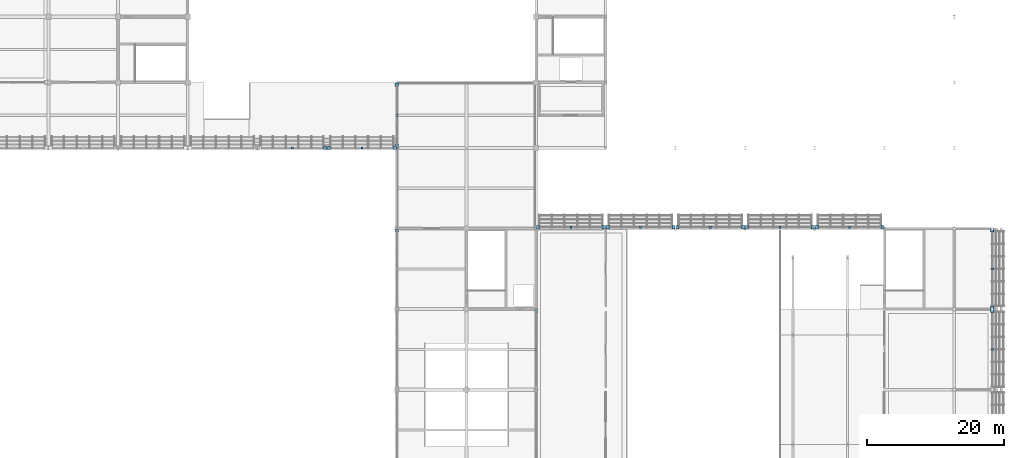
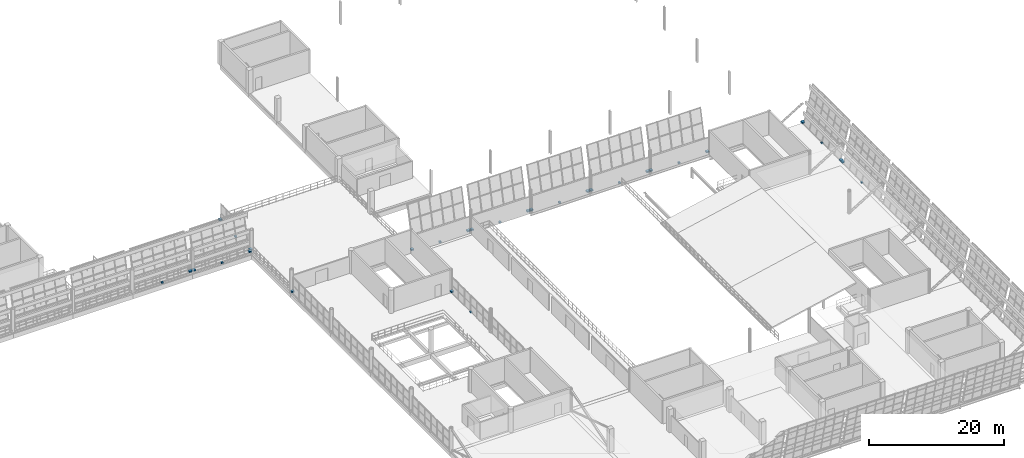
# One storey, part 141 of 157: 31 discrete accessories.
"""IFC4 building model written with IfcOpenShell, lengths in metres."""

from ifc_helpers import new_model, si_unit, direction, frame, origin, origin_2d, place, context, subcontext, project, spatial, rectangle, extrude, material, type_object, element, save


model = new_model("IFC4")

# Units and contexts
model_context = context("Model", 3, precision=1e-05, world=origin(), true_north=direction((0.0, 1.0)))
body_context = subcontext(model_context, "Body", "Model", "MODEL_VIEW")
ifc_project = project(units=[si_unit("LENGTHUNIT", "METRE"), si_unit("AREAUNIT", "SQUARE_METRE"), si_unit("VOLUMEUNIT", "CUBIC_METRE"), si_unit("PLANEANGLEUNIT", "RADIAN"), si_unit("MASSUNIT", "GRAM", prefix="KILO")], contexts=[model_context])

# Site, building, storey
site_placement = place(None, origin())
site = spatial("IfcSite", under=ifc_project, at=site_placement, CompositionType="ELEMENT")
building_placement = place(site_placement, origin())
building = spatial("IfcBuilding", under=site, at=building_placement, Name="Brelvane Convention Centre", CompositionType="ELEMENT")
storey_placement = place(building_placement, frame((0.0, 0.0, 10.800048828125)))
storey = spatial("IfcBuildingStorey", under=building, at=storey_placement, Name="L02", CompositionType="ELEMENT", Elevation=10.800048828125)

# Discrete accessories
ifc_material = material(Name="Steel E350 (350 MPa)", Category="steel")
discrete_accessory_type = type_object("IfcDiscreteAccessoryType", Name="Facade Outrigger Bracket BRK-02", PredefinedType="BRACKET", material=ifc_material)
discrete_accessory_1_placement = place(storey_placement, frame((230.0, 75.760009765625, 0.22998046875), z_axis=(0.0, 0.0, 1.0), x_axis=(1.0, 0.0, 0.0)))
element("IfcDiscreteAccessory", 1, at=discrete_accessory_1_placement, inside=storey, type_object=discrete_accessory_type, Name="Curtain Wall Anchor Bracket L02-HULL-E-L02-5-R", PredefinedType="BRACKET", context=body_context, shape_type="SweptSolid", body=[
    extrude(rectangle(XDim=0.47998046875, YDim=0.47998046875, at=origin_2d()), origin(), (0.0, 0.0, 1.0), 0.239990234375),
])
discrete_accessory_2_placement = place(storey_placement, frame((230.0, 70.10009765625, -0.14013671875), z_axis=(0.0, 0.0, 1.0), x_axis=(1.0, 0.0, 0.0)))
element("IfcDiscreteAccessory", 2, at=discrete_accessory_2_placement, inside=storey, type_object=discrete_accessory_type, Name="Curtain Wall Anchor Bracket L02-HULL-E-L02-5-B", PredefinedType="BRACKET", context=body_context, shape_type="SweptSolid", body=[
    extrude(rectangle(XDim=0.320068359375, YDim=0.320068359375, at=origin_2d()), origin(), (0.0, 0.0, 1.0), 0.280029296875),
])
for number, where, z_axis, x_axis, name in (
    (3, (230.0, 76.239990234375, 0.22998046875), (0.0, 0.0, 1.0), (1.0, 0.0, 0.0), "Curtain Wall Anchor Bracket L02-HULL-E-L02-6-L"),
    (4, (230.0, 87.56005859375, 0.22998046875), (0.0, 0.0, 1.0), (1.0, 0.0, 0.0), "Curtain Wall Anchor Bracket L02-HULL-E-L02-6-R"),
):
    element("IfcDiscreteAccessory", number, at=place(storey_placement, frame(where, z_axis=z_axis, x_axis=x_axis)), inside=storey, type_object=discrete_accessory_type, Name=name, PredefinedType="BRACKET", context=body_context, shape_type="SweptSolid", body=[
        extrude(rectangle(XDim=0.47998046875, YDim=0.47998046875, at=origin_2d()), origin(), (0.0, 0.0, 1.0), 0.239990234375),
    ])
discrete_accessory_3_placement = place(storey_placement, frame((230.0, 81.89990234375, -0.14013671875), z_axis=(0.0, 0.0, 1.0), x_axis=(1.0, 0.0, 0.0)))
element("IfcDiscreteAccessory", 5, at=discrete_accessory_3_placement, inside=storey, type_object=discrete_accessory_type, Name="Curtain Wall Anchor Bracket L02-HULL-E-L02-6-B", PredefinedType="BRACKET", context=body_context, shape_type="SweptSolid", body=[
    extrude(rectangle(XDim=0.320068359375, YDim=0.320068359375, at=origin_2d()), origin(), (0.0, 0.0, 1.0), 0.280029296875),
])
discrete_accessory_4_placement = place(storey_placement, frame((132.31005859375, 99.60009765625, 0.22998046875), z_axis=(0.0, 0.0, 1.0), x_axis=(1.0, 0.0, 0.0)))
element("IfcDiscreteAccessory", 6, at=discrete_accessory_4_placement, inside=storey, type_object=discrete_accessory_type, Name="Curtain Wall Anchor Bracket L02-V1N-HULL-13-R", PredefinedType="BRACKET", context=body_context, shape_type="SweptSolid", body=[
    extrude(rectangle(XDim=0.47998046875, YDim=0.47998046875, at=origin_2d()), origin(), (0.0, 0.0, 1.0), 0.239990234375),
])
discrete_accessory_5_placement = place(storey_placement, frame((127.5, 99.60009765625, -0.14013671875), z_axis=(0.0, 0.0, 1.0), x_axis=(1.0, 0.0, 0.0)))
element("IfcDiscreteAccessory", 7, at=discrete_accessory_5_placement, inside=storey, type_object=discrete_accessory_type, Name="Curtain Wall Anchor Bracket L02-V1N-HULL-13-B", PredefinedType="BRACKET", context=body_context, shape_type="SweptSolid", body=[
    extrude(rectangle(XDim=0.320068359375, YDim=0.320068359375, at=origin_2d()), origin(), (0.0, 0.0, 1.0), 0.280029296875),
])
for number, where, z_axis, x_axis, name in (
    (8, (132.889892578125, 99.60009765625, 0.22998046875), (0.0, 0.0, 1.0), (1.0, 0.0, 0.0), "Curtain Wall Anchor Bracket L02-V1N-HULL-14-L"),
    (9, (142.510009765625, 99.60009765625, 0.22998046875), (0.0, 0.0, 1.0), (1.0, 0.0, 0.0), "Curtain Wall Anchor Bracket L02-V1N-HULL-14-R"),
):
    element("IfcDiscreteAccessory", number, at=place(storey_placement, frame(where, z_axis=z_axis, x_axis=x_axis)), inside=storey, type_object=discrete_accessory_type, Name=name, PredefinedType="BRACKET", context=body_context, shape_type="SweptSolid", body=[
        extrude(rectangle(XDim=0.47998046875, YDim=0.47998046875, at=origin_2d()), origin(), (0.0, 0.0, 1.0), 0.239990234375),
    ])
discrete_accessory_6_placement = place(storey_placement, frame((137.699951171875, 99.60009765625, -0.14013671875), z_axis=(0.0, 0.0, 1.0), x_axis=(1.0, 0.0, 0.0)))
element("IfcDiscreteAccessory", 10, at=discrete_accessory_6_placement, inside=storey, type_object=discrete_accessory_type, Name="Curtain Wall Anchor Bracket L02-V1N-HULL-14-B", PredefinedType="BRACKET", context=body_context, shape_type="SweptSolid", body=[
    extrude(rectangle(XDim=0.320068359375, YDim=0.320068359375, at=origin_2d()), origin(), (0.0, 0.0, 1.0), 0.280029296875),
])
for number, where, z_axis, x_axis, name in (
    (11, (163.489990234375, 88.0, 0.27978515625), (0.0, 0.0, 1.0), (1.0, 0.0, 0.0), "Curtain Wall Anchor Bracket L02-HULL-PN-L02-1-L"),
    (12, (173.110107421875, 88.0, 0.27978515625), (0.0, 0.0, 1.0), (1.0, 0.0, 0.0), "Curtain Wall Anchor Bracket L02-HULL-PN-L02-1-R"),
):
    element("IfcDiscreteAccessory", number, at=place(storey_placement, frame(where, z_axis=z_axis, x_axis=x_axis)), inside=storey, type_object=discrete_accessory_type, Name=name, PredefinedType="BRACKET", context=body_context, shape_type="SweptSolid", body=[
        extrude(rectangle(XDim=0.47998046875, YDim=0.47998046875, at=origin_2d()), origin(), (0.0, 0.0, 1.0), 0.239990234375),
    ])
discrete_accessory_7_placement = place(storey_placement, frame((168.300048828125, 88.0, -0.08984375), z_axis=(0.0, 0.0, 1.0), x_axis=(1.0, 0.0, 0.0)))
element("IfcDiscreteAccessory", 13, at=discrete_accessory_7_placement, inside=storey, type_object=discrete_accessory_type, Name="Curtain Wall Anchor Bracket L02-HULL-PN-L02-1-B", PredefinedType="BRACKET", context=body_context, shape_type="SweptSolid", body=[
    extrude(rectangle(XDim=0.320068359375, YDim=0.320068359375, at=origin_2d()), origin(), (0.0, 0.0, 1.0), 0.280029296875),
])
for number, where, z_axis, x_axis, name in (
    (14, (173.68994140625, 88.0, 0.27978515625), (0.0, 0.0, 1.0), (1.0, 0.0, 0.0), "Curtain Wall Anchor Bracket L02-HULL-PN-L02-2-L"),
    (15, (183.31005859375, 88.0, 0.27978515625), (0.0, 0.0, 1.0), (1.0, 0.0, 0.0), "Curtain Wall Anchor Bracket L02-HULL-PN-L02-2-R"),
):
    element("IfcDiscreteAccessory", number, at=place(storey_placement, frame(where, z_axis=z_axis, x_axis=x_axis)), inside=storey, type_object=discrete_accessory_type, Name=name, PredefinedType="BRACKET", context=body_context, shape_type="SweptSolid", body=[
        extrude(rectangle(XDim=0.47998046875, YDim=0.47998046875, at=origin_2d()), origin(), (0.0, 0.0, 1.0), 0.239990234375),
    ])
discrete_accessory_8_placement = place(storey_placement, frame((178.5, 88.0, -0.08984375), z_axis=(0.0, 0.0, 1.0), x_axis=(1.0, 0.0, 0.0)))
element("IfcDiscreteAccessory", 16, at=discrete_accessory_8_placement, inside=storey, type_object=discrete_accessory_type, Name="Curtain Wall Anchor Bracket L02-HULL-PN-L02-2-B", PredefinedType="BRACKET", context=body_context, shape_type="SweptSolid", body=[
    extrude(rectangle(XDim=0.320068359375, YDim=0.320068359375, at=origin_2d()), origin(), (0.0, 0.0, 1.0), 0.280029296875),
])
for number, where, z_axis, x_axis, name in (
    (17, (183.889892578125, 88.0, 0.27978515625), (0.0, 0.0, 1.0), (1.0, 0.0, 0.0), "Curtain Wall Anchor Bracket L02-HULL-PN-L02-3-L"),
    (18, (193.510009765625, 88.0, 0.27978515625), (0.0, 0.0, 1.0), (1.0, 0.0, 0.0), "Curtain Wall Anchor Bracket L02-HULL-PN-L02-3-R"),
):
    element("IfcDiscreteAccessory", number, at=place(storey_placement, frame(where, z_axis=z_axis, x_axis=x_axis)), inside=storey, type_object=discrete_accessory_type, Name=name, PredefinedType="BRACKET", context=body_context, shape_type="SweptSolid", body=[
        extrude(rectangle(XDim=0.47998046875, YDim=0.47998046875, at=origin_2d()), origin(), (0.0, 0.0, 1.0), 0.239990234375),
    ])
discrete_accessory_9_placement = place(storey_placement, frame((188.699951171875, 88.0, -0.08984375), z_axis=(0.0, 0.0, 1.0), x_axis=(1.0, 0.0, 0.0)))
element("IfcDiscreteAccessory", 19, at=discrete_accessory_9_placement, inside=storey, type_object=discrete_accessory_type, Name="Curtain Wall Anchor Bracket L02-HULL-PN-L02-3-B", PredefinedType="BRACKET", context=body_context, shape_type="SweptSolid", body=[
    extrude(rectangle(XDim=0.320068359375, YDim=0.320068359375, at=origin_2d()), origin(), (0.0, 0.0, 1.0), 0.280029296875),
])
for number, where, z_axis, x_axis, name in (
    (20, (194.090087890625, 88.0, 0.27978515625), (0.0, 0.0, 1.0), (1.0, 0.0, 0.0), "Curtain Wall Anchor Bracket L02-HULL-PN-L02-4-L"),
    (21, (203.7099609375, 88.0, 0.27978515625), (0.0, 0.0, 1.0), (1.0, 0.0, 0.0), "Curtain Wall Anchor Bracket L02-HULL-PN-L02-4-R"),
):
    element("IfcDiscreteAccessory", number, at=place(storey_placement, frame(where, z_axis=z_axis, x_axis=x_axis)), inside=storey, type_object=discrete_accessory_type, Name=name, PredefinedType="BRACKET", context=body_context, shape_type="SweptSolid", body=[
        extrude(rectangle(XDim=0.47998046875, YDim=0.47998046875, at=origin_2d()), origin(), (0.0, 0.0, 1.0), 0.239990234375),
    ])
discrete_accessory_10_placement = place(storey_placement, frame((198.89990234375, 88.0, -0.08984375), z_axis=(0.0, 0.0, 1.0), x_axis=(1.0, 0.0, 0.0)))
element("IfcDiscreteAccessory", 22, at=discrete_accessory_10_placement, inside=storey, type_object=discrete_accessory_type, Name="Curtain Wall Anchor Bracket L02-HULL-PN-L02-4-B", PredefinedType="BRACKET", context=body_context, shape_type="SweptSolid", body=[
    extrude(rectangle(XDim=0.320068359375, YDim=0.320068359375, at=origin_2d()), origin(), (0.0, 0.0, 1.0), 0.280029296875),
])
for number, where, z_axis, x_axis, name in (
    (23, (204.2900390625, 88.0, 0.27978515625), (0.0, 0.0, 1.0), (1.0, 0.0, 0.0), "Curtain Wall Anchor Bracket L02-HULL-PN-L02-5-L"),
    (24, (213.909912109375, 88.0, 0.27978515625), (0.0, 0.0, 1.0), (1.0, 0.0, 0.0), "Curtain Wall Anchor Bracket L02-HULL-PN-L02-5-R"),
):
    element("IfcDiscreteAccessory", number, at=place(storey_placement, frame(where, z_axis=z_axis, x_axis=x_axis)), inside=storey, type_object=discrete_accessory_type, Name=name, PredefinedType="BRACKET", context=body_context, shape_type="SweptSolid", body=[
        extrude(rectangle(XDim=0.47998046875, YDim=0.47998046875, at=origin_2d()), origin(), (0.0, 0.0, 1.0), 0.239990234375),
    ])
discrete_accessory_11_placement = place(storey_placement, frame((209.10009765625, 88.0, -0.08984375), z_axis=(0.0, 0.0, 1.0), x_axis=(1.0, 0.0, 0.0)))
element("IfcDiscreteAccessory", 25, at=discrete_accessory_11_placement, inside=storey, type_object=discrete_accessory_type, Name="Curtain Wall Anchor Bracket L02-HULL-PN-L02-5-B", PredefinedType="BRACKET", context=body_context, shape_type="SweptSolid", body=[
    extrude(rectangle(XDim=0.320068359375, YDim=0.320068359375, at=origin_2d()), origin(), (0.0, 0.0, 1.0), 0.280029296875),
])
for number, where, z_axis, x_axis, name in (
    (26, (142.800048828125, 99.93994140625, 0.22998046875), (0.0, 0.0, 1.0), (1.0, 0.0, 0.0), "Curtain Wall Anchor Bracket L02-COURT-E-CW-L02-L"),
    (27, (142.800048828125, 108.860107421875, 0.22998046875), (0.0, 0.0, 1.0), (1.0, 0.0, 0.0), "Curtain Wall Anchor Bracket L02-COURT-E-CW-L02-R"),
):
    element("IfcDiscreteAccessory", number, at=place(storey_placement, frame(where, z_axis=z_axis, x_axis=x_axis)), inside=storey, type_object=discrete_accessory_type, Name=name, PredefinedType="BRACKET", context=body_context, shape_type="SweptSolid", body=[
        extrude(rectangle(XDim=0.47998046875, YDim=0.47998046875, at=origin_2d()), origin(), (0.0, 0.0, 1.0), 0.239990234375),
    ])
discrete_accessory_12_placement = place(storey_placement, frame((142.800048828125, 104.39990234375, -0.14013671875), z_axis=(0.0, 0.0, 1.0), x_axis=(1.0, 0.0, 0.0)))
element("IfcDiscreteAccessory", 28, at=discrete_accessory_12_placement, inside=storey, type_object=discrete_accessory_type, Name="Curtain Wall Anchor Bracket L02-COURT-E-CW-L02-B", PredefinedType="BRACKET", context=body_context, shape_type="SweptSolid", body=[
    extrude(rectangle(XDim=0.320068359375, YDim=0.320068359375, at=origin_2d()), origin(), (0.0, 0.0, 1.0), 0.280029296875),
])
discrete_accessory_13_placement = place(storey_placement, frame((163.199951171875, 75.7099609375, 0.22998046875), z_axis=(0.0, 0.0, 1.0), x_axis=(1.0, 0.0, 0.0)))
element("IfcDiscreteAccessory", 29, at=discrete_accessory_13_placement, inside=storey, type_object=discrete_accessory_type, Name="Curtain Wall Anchor Bracket L02-GAL-ATRIUM-E-3-R", PredefinedType="BRACKET", context=body_context, shape_type="SweptSolid", body=[
    extrude(rectangle(XDim=0.47998046875, YDim=0.47998046875, at=origin_2d()), origin(), (0.0, 0.0, 1.0), 0.239990234375),
])
discrete_accessory_14_placement = place(storey_placement, frame((163.199951171875, 70.10009765625, -0.14013671875), z_axis=(0.0, 0.0, 1.0), x_axis=(1.0, 0.0, 0.0)))
element("IfcDiscreteAccessory", 30, at=discrete_accessory_14_placement, inside=storey, type_object=discrete_accessory_type, Name="Curtain Wall Anchor Bracket L02-GAL-ATRIUM-E-3-B", PredefinedType="BRACKET", context=body_context, shape_type="SweptSolid", body=[
    extrude(rectangle(XDim=0.320068359375, YDim=0.320068359375, at=origin_2d()), origin(), (0.0, 0.0, 1.0), 0.280029296875),
])
discrete_accessory_15_placement = place(storey_placement, frame((142.800048828125, 87.510009765625, 0.22998046875), z_axis=(0.0, 0.0, 1.0), x_axis=(1.0, 0.0, 0.0)))
element("IfcDiscreteAccessory", 31, at=discrete_accessory_15_placement, inside=storey, type_object=discrete_accessory_type, Name="Curtain Wall Anchor Bracket L02-GAL-ATRIUM-W-4-R", PredefinedType="BRACKET", context=body_context, shape_type="SweptSolid", body=[
    extrude(rectangle(XDim=0.47998046875, YDim=0.47998046875, at=origin_2d()), origin(), (0.0, 0.0, 1.0), 0.239990234375),
])

save(model, "model.ifc")
